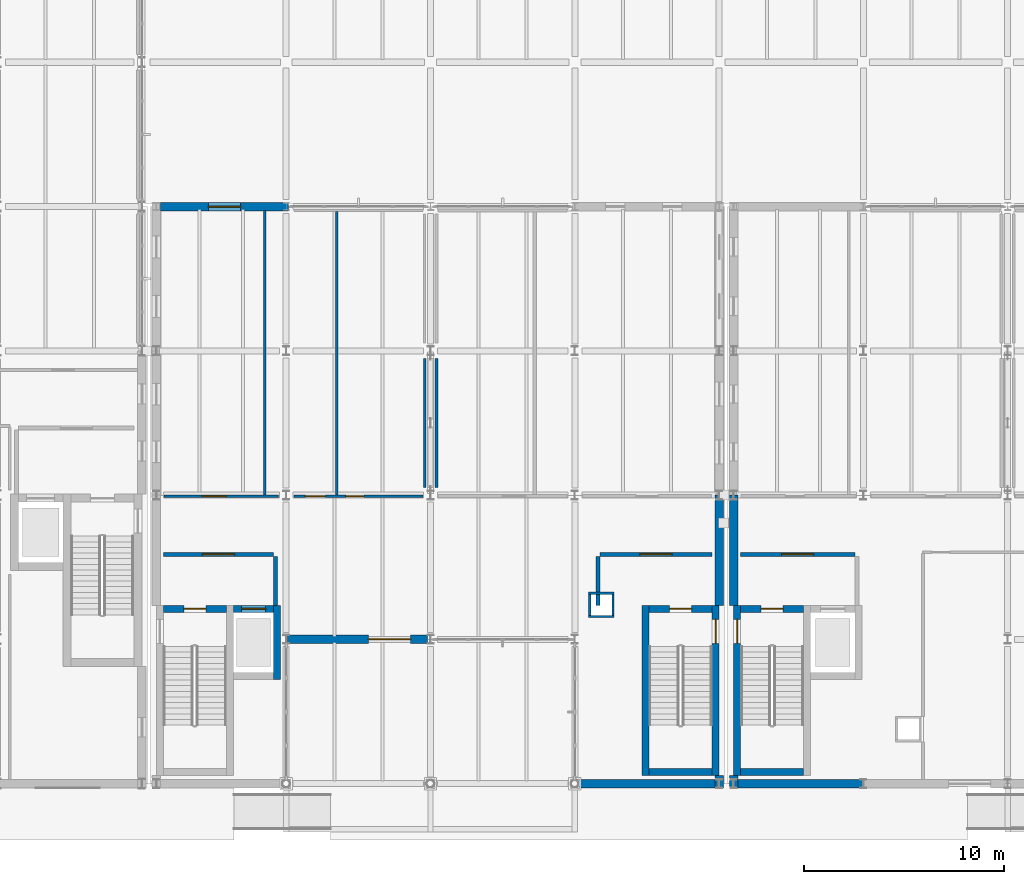
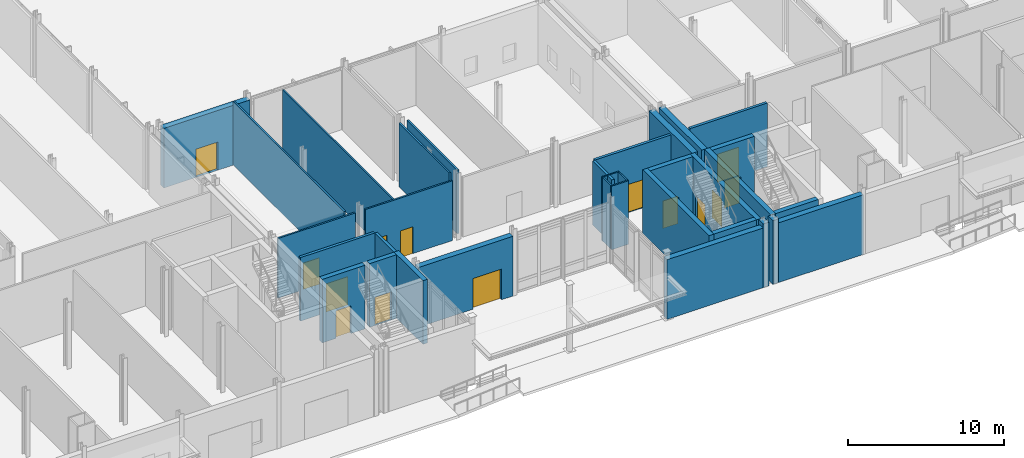
# One storey, part 60 of 89: 33 walls, 14 doors, 14 openings.
"""IFC4 building model written with IfcOpenShell, lengths in metres."""

from ifc_helpers import new_model, si_unit, direction, frame, frame_2d, origin, place, context, subcontext, project, spatial, rectangle, extrude, material, layer, layer_set, type_object, element, fill, save


model = new_model("IFC4")

# Units and contexts
model_context = context("Model", 3, precision=1e-05, world=origin(), true_north=direction((0.0, 1.0)))
body_context = subcontext(model_context, "Body", "Model", "MODEL_VIEW")
ifc_project = project(units=[si_unit("LENGTHUNIT", "METRE"), si_unit("AREAUNIT", "SQUARE_METRE"), si_unit("VOLUMEUNIT", "CUBIC_METRE"), si_unit("PLANEANGLEUNIT", "RADIAN"), si_unit("MASSUNIT", "GRAM", prefix="KILO")], contexts=[model_context])

# Site, building, storey
site_placement = place(None, origin())
site = spatial("IfcSite", under=ifc_project, at=site_placement, CompositionType="ELEMENT")
building_placement = place(site_placement, origin())
building = spatial("IfcBuilding", under=site, at=building_placement, Name="Zarrinpeak Specialist Clinic", CompositionType="ELEMENT")
storey_placement = place(building_placement, origin())
storey = spatial("IfcBuildingStorey", under=building, at=storey_placement, Name="L00", CompositionType="ELEMENT", Elevation=0.0)

# Wall, opening, door
ifc_material_1 = material(Name="Concrete C40/50", Category="concrete")
ifc_layer_1 = layer(ifc_material_1, 0.35009765625)
ifc_layer_set_1 = layer_set([ifc_layer_1], Name="Concrete C40/50")
wall_type_1 = type_object("IfcWallType", Name="WL-CR350", PredefinedType="SHEAR", material=ifc_layer_set_1)
wall_1_placement = place(storey_placement, frame((29.8701171875, 8.72509765625, 0.0), z_axis=(0.0, 0.0, 1.0), x_axis=(1.0, 0.0, 0.0)))
wall_1 = element("IfcWall", 1, at=wall_1_placement, inside=storey, type_object=wall_type_1, Name="L00 Core C03 Shear Wall STN", PredefinedType="SHEAR", context=body_context, shape_type="SweptSolid", body=[
    extrude(rectangle(XDim=3.14990234375, YDim=0.35009765625, at=frame_2d((1.574951171875, 0.0))), origin(), (0.0, 0.0, 1.0), 4.969970703125),
])
opening_1_placement = place(wall_1_placement, frame((1.02490234375, 0.0, 0.0)))
opening_1 = element("IfcOpeningElement", 2, at=opening_1_placement, cuts=wall_1, Name="Opening D-S02", PredefinedType="OPENING", context=body_context, shape_type="SweptSolid", body=[
    extrude(rectangle(XDim=1.10009765625, YDim=2.14990234375, at=frame_2d((0.550048828125, 1.074951171875))), frame((0.0, 0.18505859375, 0.0), z_axis=(0.0, -1.0, 0.0), x_axis=(1.0, 0.0, 0.0)), (0.0, 0.0, 1.0), 0.3701171875),
])
ifc_material_2 = material(Name="Powder-Coated Galvanised Steel", Category="steel")
door_type_1 = type_object("IfcDoorType", Name="DR-FD110", OperationType="SINGLE_SWING_RIGHT", PredefinedType="DOOR", material=ifc_material_2)
door_1_placement = place(opening_1_placement, frame((1.10009765625, 0.0, 0.0), z_axis=(0.0, 0.0, 1.0), x_axis=(-1.0, 0.0, 0.0)))
door_1 = element("IfcDoor", 3, at=door_1_placement, inside=storey, type_object=door_type_1, Name="L00 Protected Stair ST-03 Fire Door", OperationType="SINGLE_SWING_RIGHT", OverallHeight=2.14990234375, OverallWidth=1.10009765625, PredefinedType="DOOR", context=body_context, shape_type="SweptSolid", body=[
    extrude(rectangle(XDim=1.10009765625, YDim=2.14990234375, at=frame_2d((0.550048828125, 1.074951171875))), frame((0.0, 0.02490234375, 0.0), z_axis=(0.0, -1.0, 0.0), x_axis=(1.0, 0.0, 0.0)), (0.0, 0.0, 1.0), 0.050048828125),
])
fill(opening_1, door_1)

wall_2_placement = place(storey_placement, frame((33.3701171875, 8.72509765625, 0.0), z_axis=(0.0, 0.0, 1.0), x_axis=(1.0, 0.0, 0.0)))
wall_2 = element("IfcWall", 4, at=wall_2_placement, inside=storey, type_object=wall_type_1, Name="L00 Lift LF-P2 Shaft Wall LFN", PredefinedType="SHEAR", context=body_context, shape_type="SweptSolid", body=[
    extrude(rectangle(XDim=2.0, YDim=0.35009765625, at=frame_2d((1.0, 0.0))), origin(), (0.0, 0.0, 1.0), 4.969970703125),
])
opening_2_placement = place(wall_2_placement, frame((0.39990234375, 0.0, 0.0)))
opening_2 = element("IfcOpeningElement", 5, at=opening_2_placement, cuts=wall_2, Name="Opening LD-02", PredefinedType="OPENING", context=body_context, shape_type="SweptSolid", body=[
    extrude(rectangle(XDim=1.199951171875, YDim=2.199951171875, at=frame_2d((0.60009765625, 1.10009765625))), frame((0.0, 0.18505859375, 0.0), z_axis=(0.0, -1.0, 0.0), x_axis=(1.0, 0.0, 0.0)), (0.0, 0.0, 1.0), 0.3701171875),
])
door_type_2 = type_object("IfcDoorType", Name="DR-LD120", OperationType="SLIDING_TO_RIGHT", PredefinedType="DOOR", material=ifc_material_2)
door_2_placement = place(opening_2_placement, origin())
door_2 = element("IfcDoor", 6, at=door_2_placement, inside=storey, type_object=door_type_2, Name="L00 Lift LF-P2 Sliding Landing Door", OperationType="SLIDING_TO_RIGHT", OverallHeight=2.199951171875, OverallWidth=1.199951171875, PredefinedType="DOOR", context=body_context, shape_type="SweptSolid", body=[
    extrude(rectangle(XDim=1.199951171875, YDim=2.199951171875, at=frame_2d((0.60009765625, 1.10009765625))), frame((0.0, 0.02490234375, 0.0), z_axis=(0.0, -1.0, 0.0), x_axis=(1.0, 0.0, 0.0)), (0.0, 0.0, 1.0), 0.050048828125),
])
fill(opening_2, door_2)

# Walls
wall_3_placement = place(storey_placement, frame((35.544921875, 5.199951171875, 0.0), z_axis=(0.0, 0.0, 1.0), x_axis=(0.0, 1.0, 0.0)))
element("IfcWall", 7, at=wall_3_placement, inside=storey, type_object=wall_type_1, Name="L00 Lift LF-P2 Shaft Wall LFE", PredefinedType="SHEAR", context=body_context, shape_type="SweptSolid", body=[
    extrude(rectangle(XDim=3.699951171875, YDim=0.35009765625, at=frame_2d((1.85009765625, 0.0))), origin(), (0.0, 0.0, 1.0), 4.969970703125),
])
wall_4_placement = place(storey_placement, frame((54.10009765625, 0.574951171875, 0.0), z_axis=(0.0, 0.0, 1.0), x_axis=(1.0, 0.0, 0.0)))
element("IfcWall", 8, at=wall_4_placement, inside=storey, type_object=wall_type_1, Name="L00 Core C04 Shear Wall STS", PredefinedType="SHEAR", context=body_context, shape_type="SweptSolid", body=[
    extrude(rectangle(XDim=3.14990234375, YDim=0.35009765625, at=frame_2d((1.574951171875, 0.0))), origin(), (0.0, 0.0, 1.0), 4.969970703125),
])

# Wall, opening, door
wall_5_placement = place(storey_placement, frame((54.10009765625, 8.72509765625, 0.0), z_axis=(0.0, 0.0, 1.0), x_axis=(1.0, 0.0, 0.0)))
wall_5 = element("IfcWall", 9, at=wall_5_placement, inside=storey, type_object=wall_type_1, Name="L00 Core C04 Shear Wall STN", PredefinedType="SHEAR", context=body_context, shape_type="SweptSolid", body=[
    extrude(rectangle(XDim=3.14990234375, YDim=0.35009765625, at=frame_2d((1.574951171875, 0.0))), origin(), (0.0, 0.0, 1.0), 4.969970703125),
])
opening_3_placement = place(wall_5_placement, frame((1.02490234375, 0.0, 0.0)))
opening_3 = element("IfcOpeningElement", 10, at=opening_3_placement, cuts=wall_5, Name="Opening D-S02", PredefinedType="OPENING", context=body_context, shape_type="SweptSolid", body=[
    extrude(rectangle(XDim=1.10009765625, YDim=2.14990234375, at=frame_2d((0.550048828125, 1.074951171875))), frame((0.0, 0.18505859375, 0.0), z_axis=(0.0, -1.0, 0.0), x_axis=(1.0, 0.0, 0.0)), (0.0, 0.0, 1.0), 0.3701171875),
])
door_3_placement = place(opening_3_placement, frame((1.10009765625, 0.0, 0.0), z_axis=(0.0, 0.0, 1.0), x_axis=(-1.0, 0.0, 0.0)))
door_3 = element("IfcDoor", 11, at=door_3_placement, inside=storey, type_object=door_type_1, Name="L00 Protected Stair ST-04 Fire Door", OperationType="SINGLE_SWING_RIGHT", OverallHeight=2.14990234375, OverallWidth=1.10009765625, PredefinedType="DOOR", context=body_context, shape_type="SweptSolid", body=[
    extrude(rectangle(XDim=1.10009765625, YDim=2.14990234375, at=frame_2d((0.550048828125, 1.074951171875))), frame((0.0, 0.02490234375, 0.0), z_axis=(0.0, -1.0, 0.0), x_axis=(1.0, 0.0, 0.0)), (0.0, 0.0, 1.0), 0.050048828125),
])
fill(opening_3, door_3)

# Wall
wall_6_placement = place(storey_placement, frame((53.925048828125, 0.39990234375, 0.0), z_axis=(0.0, 0.0, 1.0), x_axis=(0.0, 1.0, 0.0)))
element("IfcWall", 12, at=wall_6_placement, inside=storey, type_object=wall_type_1, Name="L00 Core C04 Shear Wall STW", PredefinedType="SHEAR", context=body_context, shape_type="SweptSolid", body=[
    extrude(rectangle(XDim=8.5, YDim=0.35009765625, at=frame_2d((4.25, 0.0))), origin(), (0.0, 0.0, 1.0), 4.969970703125),
])

# Wall, opening, door
wall_7_placement = place(storey_placement, frame((57.425048828125, 0.39990234375, 0.0), z_axis=(0.0, 0.0, 1.0), x_axis=(0.0, 1.0, 0.0)))
wall_7 = element("IfcWall", 13, at=wall_7_placement, inside=storey, type_object=wall_type_1, Name="L00 Core C04 Shear Wall STE", PredefinedType="SHEAR", context=body_context, shape_type="SweptSolid", body=[
    extrude(rectangle(XDim=8.5, YDim=0.35009765625, at=frame_2d((4.25, 0.0))), origin(), (0.0, 0.0, 1.0), 4.969970703125),
])
opening_4_placement = place(wall_7_placement, frame((6.60009765625, 0.0, 0.0)))
opening_4 = element("IfcOpeningElement", 14, at=opening_4_placement, cuts=wall_7, Name="Opening D-EX2", PredefinedType="OPENING", context=body_context, shape_type="SweptSolid", body=[
    extrude(rectangle(XDim=1.199951171875, YDim=2.14990234375, at=frame_2d((0.60009765625, 1.074951171875))), frame((0.0, 0.18505859375, 0.0), z_axis=(0.0, -1.0, 0.0), x_axis=(1.0, 0.0, 0.0)), (0.0, 0.0, 1.0), 0.3701171875),
])
ifc_material_3 = material(Name="Powder-Coated Steel and Safety Glazing", Category="steel")
door_type_3 = type_object("IfcDoorType", Name="DR-EX120", OperationType="SINGLE_SWING_LEFT", PredefinedType="DOOR", material=ifc_material_3)
door_4_placement = place(opening_4_placement, origin())
door_4 = element("IfcDoor", 15, at=door_4_placement, inside=storey, type_object=door_type_3, Name="L00 Protected Stair ST-04 Final Exit Discharge Door ED-04", OperationType="SINGLE_SWING_LEFT", OverallHeight=2.14990234375, OverallWidth=1.199951171875, PredefinedType="DOOR", context=body_context, shape_type="SweptSolid", body=[
    extrude(rectangle(XDim=1.199951171875, YDim=2.14990234375, at=frame_2d((0.60009765625, 1.074951171875))), frame((0.0, 0.02490234375, 0.0), z_axis=(0.0, -1.0, 0.0), x_axis=(1.0, 0.0, 0.0)), (0.0, 0.0, 1.0), 0.050048828125),
])
fill(opening_4, door_4)

# Wall
wall_8_placement = place(storey_placement, frame((58.669921875, 0.574951171875, 0.0), z_axis=(0.0, 0.0, 1.0), x_axis=(1.0, 0.0, 0.0)))
element("IfcWall", 16, at=wall_8_placement, inside=storey, type_object=wall_type_1, Name="L00 Core C07 Shear Wall STS", PredefinedType="SHEAR", context=body_context, shape_type="SweptSolid", body=[
    extrude(rectangle(XDim=3.150146484375, YDim=0.35009765625, at=frame_2d((1.5751953125, 0.0))), origin(), (0.0, 0.0, 1.0), 4.969970703125),
])

# Wall, opening, door
wall_9_placement = place(storey_placement, frame((58.669921875, 8.72509765625, 0.0), z_axis=(0.0, 0.0, 1.0), x_axis=(1.0, 0.0, 0.0)))
wall_9 = element("IfcWall", 17, at=wall_9_placement, inside=storey, type_object=wall_type_1, Name="L00 Core C07 Shear Wall STN", PredefinedType="SHEAR", context=body_context, shape_type="SweptSolid", body=[
    extrude(rectangle(XDim=3.150146484375, YDim=0.35009765625, at=frame_2d((1.5751953125, 0.0))), origin(), (0.0, 0.0, 1.0), 4.969970703125),
])
opening_5_placement = place(wall_9_placement, frame((1.02490234375, 0.0, 0.0)))
opening_5 = element("IfcOpeningElement", 18, at=opening_5_placement, cuts=wall_9, Name="Opening D-S02", PredefinedType="OPENING", context=body_context, shape_type="SweptSolid", body=[
    extrude(rectangle(XDim=1.10009765625, YDim=2.14990234375, at=frame_2d((0.550048828125, 1.074951171875))), frame((0.0, 0.18505859375, 0.0), z_axis=(0.0, -1.0, 0.0), x_axis=(1.0, 0.0, 0.0)), (0.0, 0.0, 1.0), 0.3701171875),
])
door_5_placement = place(opening_5_placement, frame((1.10009765625, 0.0, 0.0), z_axis=(0.0, 0.0, 1.0), x_axis=(-1.0, 0.0, 0.0)))
door_5 = element("IfcDoor", 19, at=door_5_placement, inside=storey, type_object=door_type_1, Name="L00 Protected Stair ST-07 Fire Door", OperationType="SINGLE_SWING_RIGHT", OverallHeight=2.14990234375, OverallWidth=1.10009765625, PredefinedType="DOOR", context=body_context, shape_type="SweptSolid", body=[
    extrude(rectangle(XDim=1.10009765625, YDim=2.14990234375, at=frame_2d((0.550048828125, 1.074951171875))), frame((0.0, 0.02490234375, 0.0), z_axis=(0.0, -1.0, 0.0), x_axis=(1.0, 0.0, 0.0)), (0.0, 0.0, 1.0), 0.050048828125),
])
fill(opening_5, door_5)

wall_10_placement = place(storey_placement, frame((58.4951171875, 0.39990234375, 0.0), z_axis=(0.0, 0.0, 1.0), x_axis=(0.0, 1.0, 0.0)))
wall_10 = element("IfcWall", 20, at=wall_10_placement, inside=storey, type_object=wall_type_1, Name="L00 Core C07 Shear Wall STW", PredefinedType="SHEAR", context=body_context, shape_type="SweptSolid", body=[
    extrude(rectangle(XDim=8.5, YDim=0.35009765625, at=frame_2d((4.25, 0.0))), origin(), (0.0, 0.0, 1.0), 4.969970703125),
])
opening_6_placement = place(wall_10_placement, frame((6.60009765625, 0.0, 0.0)))
opening_6 = element("IfcOpeningElement", 21, at=opening_6_placement, cuts=wall_10, Name="Opening D-EX2", PredefinedType="OPENING", context=body_context, shape_type="SweptSolid", body=[
    extrude(rectangle(XDim=1.199951171875, YDim=2.14990234375, at=frame_2d((0.60009765625, 1.074951171875))), frame((0.0, 0.18505859375, 0.0), z_axis=(0.0, -1.0, 0.0), x_axis=(1.0, 0.0, 0.0)), (0.0, 0.0, 1.0), 0.3701171875),
])
door_6_placement = place(opening_6_placement, frame((1.199951171875, 0.0, 0.0), z_axis=(0.0, 0.0, 1.0), x_axis=(-1.0, 0.0, 0.0)))
door_6 = element("IfcDoor", 22, at=door_6_placement, inside=storey, type_object=door_type_3, Name="L00 Protected Stair ST-07 Final Exit Discharge Door ED-07", OperationType="SINGLE_SWING_LEFT", OverallHeight=2.14990234375, OverallWidth=1.199951171875, PredefinedType="DOOR", context=body_context, shape_type="SweptSolid", body=[
    extrude(rectangle(XDim=1.199951171875, YDim=2.14990234375, at=frame_2d((0.60009765625, 1.074951171875))), frame((0.0, 0.02490234375, 0.0), z_axis=(0.0, -1.0, 0.0), x_axis=(1.0, 0.0, 0.0)), (0.0, 0.0, 1.0), 0.050048828125),
])
fill(opening_6, door_6)

ifc_material_4 = material(Name="Precast concrete C40/50", Category="concrete")
ifc_layer_2 = layer(ifc_material_4, 0.419921875)
ifc_layer_set_2 = layer_set([ifc_layer_2], Name="Precast concrete C40/50")
wall_type_2 = type_object("IfcWallType", Name="WL-EW420", PredefinedType="STANDARD", material=ifc_layer_set_2)
wall_11_placement = place(storey_placement, frame((36.070068359375, 7.199951171875, 0.0), z_axis=(0.0, 0.0, 1.0), x_axis=(1.0, 0.0, 0.0)))
wall_11 = element("IfcWall", 23, at=wall_11_placement, inside=storey, type_object=wall_type_2, Name="L00 V2 Exterior GRC Wall EW-L00-V2-0097", PredefinedType="STANDARD", context=body_context, shape_type="SweptSolid", body=[
    extrude(rectangle(XDim=6.98388671875, YDim=0.419921875, at=frame_2d((3.491943359375, 0.0))), origin(), (0.0, 0.0, 1.0), 4.6650390625),
])
opening_7_placement = place(wall_11_placement, frame((4.033935546875, 0.0, 0.0)))
opening_7 = element("IfcOpeningElement", 24, at=opening_7_placement, cuts=wall_11, Name="Opening D-E02", PredefinedType="OPENING", context=body_context, shape_type="SweptSolid", body=[
    extrude(rectangle(XDim=2.10009765625, YDim=2.39990234375, at=frame_2d((1.050048828125, 1.199951171875))), frame((0.0, 0.219970703125, 0.0), z_axis=(0.0, -1.0, 0.0), x_axis=(1.0, 0.0, 0.0)), (0.0, 0.0, 1.0), 0.43994140625),
])
door_type_4 = type_object("IfcDoorType", Name="DR-ENT210", OperationType="DOUBLE_DOOR_SINGLE_SWING", PredefinedType="DOOR", material=ifc_material_3)
door_7_placement = place(opening_7_placement, origin())
door_7 = element("IfcDoor", 25, at=door_7_placement, inside=storey, type_object=door_type_4, Name="V2 Arrival Loggia Concierge Entrance Door", OperationType="DOUBLE_DOOR_SINGLE_SWING", OverallHeight=2.39990234375, OverallWidth=2.10009765625, PredefinedType="DOOR", context=body_context, shape_type="SweptSolid", body=[
    extrude(rectangle(XDim=2.10009765625, YDim=2.39990234375, at=frame_2d((1.050048828125, 1.199951171875))), frame((0.0, 0.02490234375, 0.0), z_axis=(0.0, -1.0, 0.0), x_axis=(1.0, 0.0, 0.0)), (0.0, 0.0, 1.0), 0.050048828125),
])
fill(opening_7, door_7)

# Wall
wall_12_placement = place(storey_placement, frame((50.2900390625, 0.0, 0.0), z_axis=(0.0, 0.0, 1.0), x_axis=(1.0, 0.0, 0.0)))
element("IfcWall", 26, at=wall_12_placement, inside=storey, type_object=wall_type_2, Name="L00 V2 Exterior GRC Wall EW-L00-V2-0098", PredefinedType="STANDARD", context=body_context, shape_type="SweptSolid", body=[
    extrude(rectangle(XDim=7.099853515625, YDim=0.419921875, at=frame_2d((3.5498046875, 0.0))), origin(), (0.0, 0.0, 1.0), 4.6650390625),
])

# Wall, opening, door
wall_13_placement = place(storey_placement, frame((36.110107421875, 28.800048828125, 0.0), z_axis=(0.0, 0.0, 1.0), x_axis=(-1.0, 0.0, 0.0)))
wall_13 = element("IfcWall", 27, at=wall_13_placement, inside=storey, type_object=wall_type_2, Name="L00 V2 Exterior GRC Wall EW-L00-V2-0099", PredefinedType="STANDARD", context=body_context, shape_type="SweptSolid", body=[
    extrude(rectangle(XDim=6.380126953125, YDim=0.419921875, at=frame_2d((3.18994140625, 0.0))), origin(), (0.0, 0.0, 1.0), 4.6650390625),
])
opening_8_placement = place(wall_13_placement, frame((2.389892578125, 0.0, 0.0)))
opening_8 = element("IfcOpeningElement", 28, at=opening_8_placement, cuts=wall_13, Name="Opening D-TR2", PredefinedType="OPENING", context=body_context, shape_type="SweptSolid", body=[
    extrude(rectangle(XDim=1.60009765625, YDim=2.199951171875, at=frame_2d((0.800048828125, 1.10009765625))), frame((0.0, 0.219970703125, 0.0), z_axis=(0.0, -1.0, 0.0), x_axis=(1.0, 0.0, 0.0)), (0.0, 0.0, 1.0), 0.43994140625),
])
door_type_5 = type_object("IfcDoorType", Name="DR-TER160", OperationType="DOUBLE_DOOR_SINGLE_SWING", PredefinedType="DOOR", material=ifc_material_3)
door_8_placement = place(opening_8_placement, origin())
door_8 = element("IfcDoor", 29, at=door_8_placement, inside=storey, type_object=door_type_5, Name="L00 V2 Concierge to Carved Central Court C1 Double Door", OperationType="DOUBLE_DOOR_SINGLE_SWING", OverallHeight=2.199951171875, OverallWidth=1.60009765625, PredefinedType="DOOR", context=body_context, shape_type="SweptSolid", body=[
    extrude(rectangle(XDim=1.60009765625, YDim=2.199951171875, at=frame_2d((0.800048828125, 1.10009765625))), frame((0.0, 0.02490234375, 0.0), z_axis=(0.0, -1.0, 0.0), x_axis=(1.0, 0.0, 0.0)), (0.0, 0.0, 1.0), 0.050048828125),
])
fill(opening_8, door_8)

# Walls
wall_14_placement = place(storey_placement, frame((57.60009765625, -0.2099609375, 0.0), z_axis=(0.0, 0.0, 1.0), x_axis=(0.0, 1.0, 0.0)))
element("IfcWall", 30, at=wall_14_placement, inside=storey, type_object=wall_type_2, Name="L00 V2 Exterior GRC Wall EW-L00-V2-0105", PredefinedType="STANDARD", context=body_context, shape_type="SweptSolid", body=[
    extrude(rectangle(XDim=0.60986328125, YDim=0.419921875, at=frame_2d((0.304931640625, 0.0))), origin(), (0.0, 0.0, 1.0), 4.969970703125),
])
wall_15_placement = place(storey_placement, frame((57.60009765625, 8.89990234375, 0.0), z_axis=(0.0, 0.0, 1.0), x_axis=(0.0, 1.0, 0.0)))
element("IfcWall", 31, at=wall_15_placement, inside=storey, type_object=wall_type_2, Name="L00 V2 Exterior GRC Wall EW-L00-V2-0106", PredefinedType="STANDARD", context=body_context, shape_type="SweptSolid", body=[
    extrude(rectangle(XDim=5.5, YDim=0.419921875, at=frame_2d((2.75, 0.0))), origin(), (0.0, 0.0, 1.0), 4.969970703125),
])
wall_16_placement = place(storey_placement, frame((58.530029296875, 0.0, 0.0), z_axis=(0.0, 0.0, 1.0), x_axis=(1.0, 0.0, 0.0)))
element("IfcWall", 32, at=wall_16_placement, inside=storey, type_object=wall_type_2, Name="L00 V4 Exterior GRC Wall EW-L00-V4-0151", PredefinedType="STANDARD", context=body_context, shape_type="SweptSolid", body=[
    extrude(rectangle(XDim=6.27001953125, YDim=0.419921875, at=frame_2d((3.135009765625, 0.0))), origin(), (0.0, 0.0, 1.0), 4.6650390625),
])
wall_17_placement = place(storey_placement, frame((58.320068359375, 0.39990234375, 0.0), z_axis=(0.0, 0.0, 1.0), x_axis=(0.0, -1.0, 0.0)))
element("IfcWall", 33, at=wall_17_placement, inside=storey, type_object=wall_type_2, Name="L00 V4 Exterior GRC Wall EW-L00-V4-0157", PredefinedType="STANDARD", context=body_context, shape_type="SweptSolid", body=[
    extrude(rectangle(XDim=0.60986328125, YDim=0.419921875, at=frame_2d((0.304931640625, 0.0))), origin(), (0.0, 0.0, 1.0), 4.969970703125),
])
wall_18_placement = place(storey_placement, frame((58.320068359375, 14.39990234375, 0.0), z_axis=(0.0, 0.0, 1.0), x_axis=(0.0, -1.0, 0.0)))
element("IfcWall", 34, at=wall_18_placement, inside=storey, type_object=wall_type_2, Name="L00 V4 Exterior GRC Wall EW-L00-V4-0158", PredefinedType="STANDARD", context=body_context, shape_type="SweptSolid", body=[
    extrude(rectangle(XDim=5.5, YDim=0.419921875, at=frame_2d((2.75, 0.0))), origin(), (0.0, 0.0, 1.0), 4.969970703125),
])
ifc_material_5 = material(Name="Sanitary Service Chase Plumbing Wall", Category="gypsum")
ifc_layer_3 = layer(ifc_material_5, 0.110107421875)
ifc_layer_set_3 = layer_set([ifc_layer_3], Name="Sanitary Service Chase Plumbing Wall")
wall_type_3 = type_object("IfcWallType", Name="WL-IW110", PredefinedType="PARTITIONING", material=ifc_layer_set_3)
for number, where, z_axis, x_axis, name in (
    (35, (51.090087890625, 8.344970703125, 0.0), (0.0, 0.0, 1.0), (1.0, 0.0, 0.0), "L00 V2 Enclosed MEP Service Riser Wall S"),
    (36, (51.090087890625, 9.5048828125, 0.0), (0.0, 0.0, 1.0), (1.0, 0.0, 0.0), "L00 V2 Enclosed MEP Service Riser Wall N"),
):
    element("IfcWall", number, at=place(storey_placement, frame(where, z_axis=z_axis, x_axis=x_axis)), inside=storey, type_object=wall_type_3, Name=name, PredefinedType="PARTITIONING", context=body_context, shape_type="SweptSolid", body=[
        extrude(rectangle(XDim=1.27001953125, YDim=0.110107421875, at=frame_2d((0.635009765625, 0.0))), origin(), (0.0, 0.0, 1.0), 4.969970703125),
    ])
for number, where, z_axis, x_axis, name in (
    (37, (51.14501953125, 8.39990234375, 0.0), (0.0, 0.0, 1.0), (0.0, 1.0, 0.0), "L00 V2 Enclosed MEP Service Riser Wall W"),
    (38, (52.304931640625, 8.39990234375, 0.0), (0.0, 0.0, 1.0), (0.0, 1.0, 0.0), "L00 V2 Enclosed MEP Service Riser Wall E"),
):
    element("IfcWall", number, at=place(storey_placement, frame(where, z_axis=z_axis, x_axis=x_axis)), inside=storey, type_object=wall_type_3, Name=name, PredefinedType="PARTITIONING", context=body_context, shape_type="SweptSolid", body=[
        extrude(rectangle(XDim=1.050048828125, YDim=0.110107421875, at=frame_2d((0.52490234375, 0.0))), origin(), (0.0, 0.0, 1.0), 4.969970703125),
    ])
wall_19_placement = place(storey_placement, frame((38.52001953125, 14.41259765625, 0.0), z_axis=(0.0, 0.0, 1.0), x_axis=(0.0, 1.0, 0.0)))
element("IfcWall", 39, at=wall_19_placement, inside=storey, type_object=wall_type_3, Name="L00 Accessible Public WC Dividing Partition", PredefinedType="PARTITIONING", context=body_context, shape_type="SweptSolid", body=[
    extrude(rectangle(XDim=14.13232421875, YDim=0.110107421875, at=frame_2d((7.066162109375, 0.0))), origin(), (0.0, 0.0, 1.0), 4.655029296875),
])

# Wall, opening, door
ifc_material_6 = material(Name="Moisture-Resistant Wet-Room Partition", Category="gypsum")
ifc_layer_4 = layer(ifc_material_6, 0.125)
ifc_layer_set_4 = layer_set([ifc_layer_4], Name="Moisture-Resistant Wet-Room Partition")
wall_type_4 = type_object("IfcWallType", Name="WL-IW125W", PredefinedType="PARTITIONING", material=ifc_layer_set_4)
wall_20_placement = place(storey_placement, frame((29.89990234375, 14.35009765625, 0.0), z_axis=(0.0, 0.0, 1.0), x_axis=(1.0, 0.0, 0.0)))
wall_20 = element("IfcWall", 40, at=wall_20_placement, inside=storey, type_object=wall_type_4, Name="L00 Accessible Public WC Partition", PredefinedType="PARTITIONING", context=body_context, shape_type="SweptSolid", body=[
    extrude(rectangle(XDim=5.72021484375, YDim=0.125, at=frame_2d((2.860107421875, 0.0))), origin(), (0.0, 0.0, 1.0), 4.6650390625),
])
opening_9_placement = place(wall_20_placement, frame((1.9140625, 0.0, 0.0)))
opening_9 = element("IfcOpeningElement", 41, at=opening_9_placement, cuts=wall_20, Name="Opening DS-26", PredefinedType="OPENING", context=body_context, shape_type="SweptSolid", body=[
    extrude(rectangle(XDim=1.19189453125, YDim=2.068115234375, at=frame_2d((0.595947265625, 1.0341796875))), frame((0.0, 0.072509765625, 0.0), z_axis=(0.0, -1.0, 0.0), x_axis=(1.0, 0.0, 0.0)), (0.0, 0.0, 1.0), 0.14501953125),
])
door_type_6 = type_object("IfcDoorType", Name="DR-SP26", OperationType="SINGLE_SWING_LEFT", PredefinedType="DOOR", material=ifc_material_2)
door_9_placement = place(opening_9_placement, frame((1.19189453125, 0.0, 0.0), z_axis=(0.0, 0.0, 1.0), x_axis=(-1.0, 0.0, 0.0)))
door_9 = element("IfcDoor", 42, at=door_9_placement, inside=storey, type_object=door_type_6, Name="L00 Central Atrium Concierge Hall Door", OperationType="SINGLE_SWING_LEFT", OverallHeight=2.068115234375, OverallWidth=1.19189453125, PredefinedType="DOOR", context=body_context, shape_type="SweptSolid", body=[
    extrude(rectangle(XDim=1.19189453125, YDim=2.068115234375, at=frame_2d((0.595947265625, 1.0341796875))), frame((0.0, 0.02490234375, 0.0), z_axis=(0.0, -1.0, 0.0), x_axis=(1.0, 0.0, 0.0)), (0.0, 0.0, 1.0), 0.050048828125),
])
fill(opening_9, door_9)

# Wall, openings, doors
wall_21_placement = place(storey_placement, frame((36.3798828125, 14.35009765625, 0.0), z_axis=(0.0, 0.0, 1.0), x_axis=(1.0, 0.0, 0.0)))
wall_21 = element("IfcWall", 43, at=wall_21_placement, inside=storey, type_object=wall_type_4, Name="L00 Accessible Public WC Partition", PredefinedType="PARTITIONING", context=body_context, shape_type="SweptSolid", body=[
    extrude(rectangle(XDim=6.440185546875, YDim=0.125, at=frame_2d((3.22021484375, 0.0))), origin(), (0.0, 0.0, 1.0), 4.6650390625),
])
opening_10_placement = place(wall_21_placement, frame((0.570068359375, 0.0, 0.0)))
opening_10 = element("IfcOpeningElement", 44, at=opening_10_placement, cuts=wall_21, Name="Opening D-W02", PredefinedType="OPENING", context=body_context, shape_type="SweptSolid", body=[
    extrude(rectangle(XDim=1.0, YDim=2.10009765625, at=frame_2d((0.5, 1.050048828125))), frame((0.0, 0.072509765625, 0.0), z_axis=(0.0, -1.0, 0.0), x_axis=(1.0, 0.0, 0.0)), (0.0, 0.0, 1.0), 0.14501953125),
])
opening_11_placement = place(wall_21_placement, frame((2.590087890625, 0.0, 0.0)))
opening_11 = element("IfcOpeningElement", 45, at=opening_11_placement, cuts=wall_21, Name="Opening D-W01", PredefinedType="OPENING", context=body_context, shape_type="SweptSolid", body=[
    extrude(rectangle(XDim=0.89990234375, YDim=2.10009765625, at=frame_2d((0.449951171875, 1.050048828125))), frame((0.0, 0.072509765625, 0.0), z_axis=(0.0, -1.0, 0.0), x_axis=(1.0, 0.0, 0.0)), (0.0, 0.0, 1.0), 0.14501953125),
])
door_type_7 = type_object("IfcDoorType", Name="DR-AWC100", OperationType="SLIDING_TO_LEFT", PredefinedType="DOOR", material=ifc_material_2)
door_10_placement = place(opening_10_placement, frame((1.0, 0.0, 0.0), z_axis=(0.0, 0.0, 1.0), x_axis=(-1.0, 0.0, 0.0)))
door_10 = element("IfcDoor", 46, at=door_10_placement, inside=storey, type_object=door_type_7, Name="L00 Accessible Public WC Door", OperationType="SLIDING_TO_LEFT", OverallHeight=2.10009765625, OverallWidth=1.0, PredefinedType="DOOR", context=body_context, shape_type="SweptSolid", body=[
    extrude(rectangle(XDim=1.0, YDim=2.10009765625, at=frame_2d((0.5, 1.050048828125))), frame((0.0, 0.02490234375, 0.0), z_axis=(0.0, -1.0, 0.0), x_axis=(1.0, 0.0, 0.0)), (0.0, 0.0, 1.0), 0.050048828125),
])
fill(opening_10, door_10)
door_type_8 = type_object("IfcDoorType", Name="DR-WC90", OperationType="SINGLE_SWING_RIGHT", PredefinedType="DOOR", material=ifc_material_2)
door_11_placement = place(opening_11_placement, frame((0.89990234375, 0.0, 0.0), z_axis=(0.0, 0.0, 1.0), x_axis=(-1.0, 0.0, 0.0)))
door_11 = element("IfcDoor", 47, at=door_11_placement, inside=storey, type_object=door_type_8, Name="L00 Family Parenting and Washroom Door", OperationType="SINGLE_SWING_RIGHT", OverallHeight=2.10009765625, OverallWidth=0.89990234375, PredefinedType="DOOR", context=body_context, shape_type="SweptSolid", body=[
    extrude(rectangle(XDim=0.89990234375, YDim=2.10009765625, at=frame_2d((0.449951171875, 1.050048828125))), frame((0.0, 0.02490234375, 0.0), z_axis=(0.0, -1.0, 0.0), x_axis=(1.0, 0.0, 0.0)), (0.0, 0.0, 1.0), 0.050048828125),
])
fill(opening_11, door_11)

# Walls
wall_22_placement = place(storey_placement, frame((34.919921875, 14.41259765625, 0.0), z_axis=(0.0, 0.0, 1.0), x_axis=(0.0, 1.0, 0.0)))
element("IfcWall", 48, at=wall_22_placement, inside=storey, type_object=wall_type_4, Name="L00 Accessible Public WC Dividing Partition", PredefinedType="PARTITIONING", context=body_context, shape_type="SweptSolid", body=[
    extrude(rectangle(XDim=14.1875, YDim=0.125, at=frame_2d((7.09375, 0.0))), origin(), (0.0, 0.0, 1.0), 4.969970703125),
])
wall_23_placement = place(storey_placement, frame((42.89990234375, 14.780029296875, 0.0), z_axis=(0.0, 0.0, 1.0), x_axis=(0.0, 1.0, 0.0)))
element("IfcWall", 49, at=wall_23_placement, inside=storey, type_object=wall_type_4, Name="L00 Family Parenting and Washroom Dividing Partition", PredefinedType="PARTITIONING", context=body_context, shape_type="SweptSolid", body=[
    extrude(rectangle(XDim=6.43994140625, YDim=0.125, at=frame_2d((3.219970703125, 0.0))), origin(), (0.0, 0.0, 1.0), 4.969970703125),
])
ifc_material_7 = material(Name="Standard Drywall Partition", Category="gypsum")
ifc_layer_5 = layer(ifc_material_7, 0.135009765625)
ifc_layer_set_5 = layer_set([ifc_layer_5], Name="Standard Drywall Partition")
wall_type_5 = type_object("IfcWallType", Name="WL-IW135", PredefinedType="PARTITIONING", material=ifc_layer_set_5)
wall_24_placement = place(storey_placement, frame((43.5, 14.780029296875, 0.0), z_axis=(0.0, 0.0, 1.0), x_axis=(0.0, 1.0, 0.0)))
element("IfcWall", 50, at=wall_24_placement, inside=storey, type_object=wall_type_5, Name="L00 Patient Financial Counseling Dividing Partition", PredefinedType="PARTITIONING", context=body_context, shape_type="SweptSolid", body=[
    extrude(rectangle(XDim=6.43994140625, YDim=0.135009765625, at=frame_2d((3.219970703125, 0.0))), origin(), (0.0, 0.0, 1.0), 4.969970703125),
])

# Wall, opening, door
ifc_material_8 = material(Name="Autoclaved Aerated Concrete Blockwork", Category="masonry")
ifc_layer_6 = layer(ifc_material_8, 0.199951171875)
ifc_layer_set_6 = layer_set([ifc_layer_6], Name="Autoclaved Aerated Concrete Blockwork")
wall_type_6 = type_object("IfcWallType", Name="WL-IW200", PredefinedType="PARTITIONING", material=ifc_layer_set_6)
wall_25_placement = place(storey_placement, frame((29.8701171875, 11.449951171875, 0.0), z_axis=(0.0, 0.0, 1.0), x_axis=(1.0, 0.0, 0.0)))
wall_25 = element("IfcWall", 51, at=wall_25_placement, inside=storey, type_object=wall_type_6, Name="L00 C03 Protected Lobby Partition LBF", PredefinedType="PARTITIONING", context=body_context, shape_type="SweptSolid", body=[
    extrude(rectangle(XDim=5.5, YDim=0.199951171875, at=frame_2d((2.75, 0.0))), origin(), (0.0, 0.0, 1.0), 4.969970703125),
])
opening_12_placement = place(wall_25_placement, frame((1.949951171875, 0.0, 0.0)))
opening_12 = element("IfcOpeningElement", 52, at=opening_12_placement, cuts=wall_25, Name="Opening D-L01", PredefinedType="OPENING", context=body_context, shape_type="SweptSolid", body=[
    extrude(rectangle(XDim=1.60009765625, YDim=2.199951171875, at=frame_2d((0.800048828125, 1.10009765625))), frame((0.0, 0.10986328125, 0.0), z_axis=(0.0, -1.0, 0.0), x_axis=(1.0, 0.0, 0.0)), (0.0, 0.0, 1.0), 0.219970703125),
])
door_type_9 = type_object("IfcDoorType", Name="DR-LB160", OperationType="DOUBLE_DOOR_SINGLE_SWING", PredefinedType="DOOR", material=ifc_material_2)
door_12_placement = place(opening_12_placement, origin())
door_12 = element("IfcDoor", 53, at=door_12_placement, inside=storey, type_object=door_type_9, Name="L00 C03 Lobby Hold-Open Fire Door", OperationType="DOUBLE_DOOR_SINGLE_SWING", OverallHeight=2.199951171875, OverallWidth=1.60009765625, PredefinedType="DOOR", context=body_context, shape_type="SweptSolid", body=[
    extrude(rectangle(XDim=1.60009765625, YDim=2.199951171875, at=frame_2d((0.800048828125, 1.10009765625))), frame((0.0, 0.02490234375, 0.0), z_axis=(0.0, -1.0, 0.0), x_axis=(1.0, 0.0, 0.0)), (0.0, 0.0, 1.0), 0.050048828125),
])
fill(opening_12, door_12)

# Wall
wall_26_placement = place(storey_placement, frame((35.469970703125, 8.89990234375, 0.0), z_axis=(0.0, 0.0, 1.0), x_axis=(0.0, 1.0, 0.0)))
element("IfcWall", 54, at=wall_26_placement, inside=storey, type_object=wall_type_6, Name="L00 C03 Protected Lobby Partition LBE", PredefinedType="PARTITIONING", context=body_context, shape_type="SweptSolid", body=[
    extrude(rectangle(XDim=2.4501953125, YDim=0.199951171875, at=frame_2d((1.22509765625, 0.0))), origin(), (0.0, 0.0, 1.0), 4.969970703125),
])

# Wall, opening, door
wall_27_placement = place(storey_placement, frame((51.64990234375, 11.449951171875, 0.0), z_axis=(0.0, 0.0, 1.0), x_axis=(1.0, 0.0, 0.0)))
wall_27 = element("IfcWall", 55, at=wall_27_placement, inside=storey, type_object=wall_type_6, Name="L00 C04 Protected Lobby Partition LBF", PredefinedType="PARTITIONING", context=body_context, shape_type="SweptSolid", body=[
    extrude(rectangle(XDim=5.60009765625, YDim=0.199951171875, at=frame_2d((2.800048828125, 0.0))), origin(), (0.0, 0.0, 1.0), 4.969970703125),
])
opening_13_placement = place(wall_27_placement, frame((2.0, 0.0, 0.0)))
opening_13 = element("IfcOpeningElement", 56, at=opening_13_placement, cuts=wall_27, Name="Opening D-L01", PredefinedType="OPENING", context=body_context, shape_type="SweptSolid", body=[
    extrude(rectangle(XDim=1.60009765625, YDim=2.199951171875, at=frame_2d((0.800048828125, 1.10009765625))), frame((0.0, 0.10986328125, 0.0), z_axis=(0.0, -1.0, 0.0), x_axis=(1.0, 0.0, 0.0)), (0.0, 0.0, 1.0), 0.219970703125),
])
door_13_placement = place(opening_13_placement, origin())
door_13 = element("IfcDoor", 57, at=door_13_placement, inside=storey, type_object=door_type_9, Name="L00 C04 Lobby Hold-Open Fire Door", OperationType="DOUBLE_DOOR_SINGLE_SWING", OverallHeight=2.199951171875, OverallWidth=1.60009765625, PredefinedType="DOOR", context=body_context, shape_type="SweptSolid", body=[
    extrude(rectangle(XDim=1.60009765625, YDim=2.199951171875, at=frame_2d((0.800048828125, 1.10009765625))), frame((0.0, 0.02490234375, 0.0), z_axis=(0.0, -1.0, 0.0), x_axis=(1.0, 0.0, 0.0)), (0.0, 0.0, 1.0), 0.050048828125),
])
fill(opening_13, door_13)

# Wall
wall_28_placement = place(storey_placement, frame((51.550048828125, 8.89990234375, 0.0), z_axis=(0.0, 0.0, 1.0), x_axis=(0.0, 1.0, 0.0)))
element("IfcWall", 58, at=wall_28_placement, inside=storey, type_object=wall_type_6, Name="L00 C04 Protected Lobby Partition LBW", PredefinedType="PARTITIONING", context=body_context, shape_type="SweptSolid", body=[
    extrude(rectangle(XDim=2.4501953125, YDim=0.199951171875, at=frame_2d((1.22509765625, 0.0))), origin(), (0.0, 0.0, 1.0), 4.969970703125),
])

# Wall, opening, door
wall_29_placement = place(storey_placement, frame((58.669921875, 11.449951171875, 0.0), z_axis=(0.0, 0.0, 1.0), x_axis=(1.0, 0.0, 0.0)))
wall_29 = element("IfcWall", 59, at=wall_29_placement, inside=storey, type_object=wall_type_6, Name="L00 C07 Protected Lobby Partition LBF", PredefinedType="PARTITIONING", context=body_context, shape_type="SweptSolid", body=[
    extrude(rectangle(XDim=5.7001953125, YDim=0.199951171875, at=frame_2d((2.85009765625, 0.0))), origin(), (0.0, 0.0, 1.0), 4.969970703125),
])
opening_14_placement = place(wall_29_placement, frame((2.050048828125, 0.0, 0.0)))
opening_14 = element("IfcOpeningElement", 60, at=opening_14_placement, cuts=wall_29, Name="Opening D-L01", PredefinedType="OPENING", context=body_context, shape_type="SweptSolid", body=[
    extrude(rectangle(XDim=1.60009765625, YDim=2.199951171875, at=frame_2d((0.800048828125, 1.10009765625))), frame((0.0, 0.10986328125, 0.0), z_axis=(0.0, -1.0, 0.0), x_axis=(1.0, 0.0, 0.0)), (0.0, 0.0, 1.0), 0.219970703125),
])
door_14_placement = place(opening_14_placement, origin())
door_14 = element("IfcDoor", 61, at=door_14_placement, inside=storey, type_object=door_type_9, Name="L00 C07 Lobby Hold-Open Fire Door", OperationType="DOUBLE_DOOR_SINGLE_SWING", OverallHeight=2.199951171875, OverallWidth=1.60009765625, PredefinedType="DOOR", context=body_context, shape_type="SweptSolid", body=[
    extrude(rectangle(XDim=1.60009765625, YDim=2.199951171875, at=frame_2d((0.800048828125, 1.10009765625))), frame((0.0, 0.02490234375, 0.0), z_axis=(0.0, -1.0, 0.0), x_axis=(1.0, 0.0, 0.0)), (0.0, 0.0, 1.0), 0.050048828125),
])
fill(opening_14, door_14)

save(model, "model.ifc")
